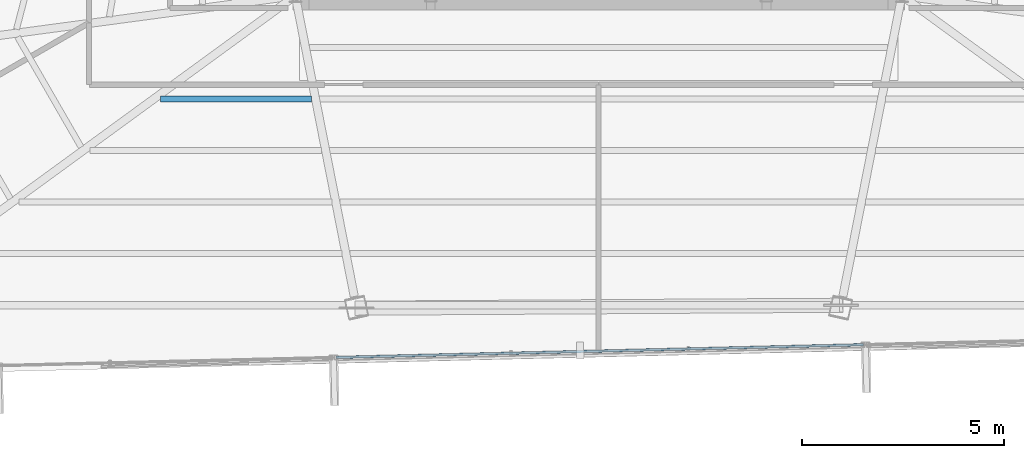
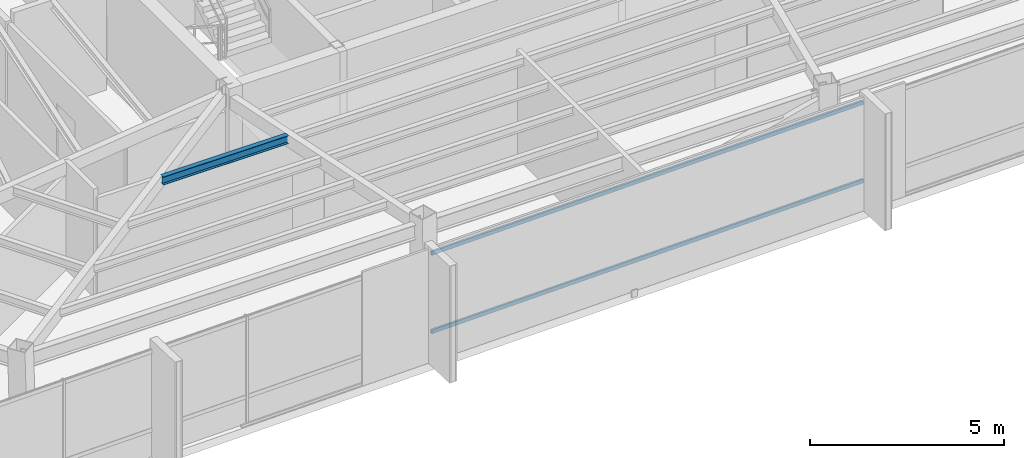
# One storey, part 12 of 45: 2 members, 1 beam, 1 element without a shape of its own.
"""IFC4 building model written with IfcOpenShell, lengths in metres."""

from ifc_helpers import new_model, si_unit, direction, frame, origin, origin_2d, place, context, subcontext, project, spatial, hollow_rectangle, i_section, extrude, source, transform, mapped, material, material_profile, profile_set, type_object, type_shapes, element, aggregate, save


model = new_model("IFC4")

# Units and contexts
model_context = context("Model", 3, precision=1e-05, world=origin(), true_north=direction((0.0, 1.0)))
body_context = subcontext(model_context, "Body", "Model", "MODEL_VIEW")
ifc_project = project(units=[si_unit("LENGTHUNIT", "METRE"), si_unit("AREAUNIT", "SQUARE_METRE"), si_unit("VOLUMEUNIT", "CUBIC_METRE"), si_unit("PLANEANGLEUNIT", "RADIAN"), si_unit("MASSUNIT", "GRAM", prefix="KILO")], contexts=[model_context])

# Site, building, storey
site_placement = place(None, origin())
site = spatial("IfcSite", under=ifc_project, at=site_placement, CompositionType="ELEMENT")
building_placement = place(site_placement, origin())
building = spatial("IfcBuilding", under=site, at=building_placement, Name="Caelisora Broadcast Tower", CompositionType="ELEMENT")
storey_placement = place(building_placement, frame((0.0, 0.0, 273.64990234375)))
storey = spatial("IfcBuildingStorey", under=building, at=storey_placement, Name="L72", CompositionType="ELEMENT", Elevation=273.64990234375)

# Beam
ifc_material_1 = material(Name="Steel Grade 350 (AS/NZS 3679.1)", Category="steel")
ifc_material_profile_1 = material_profile(ifc_material_1, i_section(OverallWidth=0.14599609375, OverallDepth=0.256103515625, WebThickness=0.00634765625, FlangeThickness=0.010986328125, at=origin_2d()), Name="Steel Grade 350 (AS/NZS 3679.1)")
ifc_profile_set_1 = profile_set([ifc_material_profile_1], Name="Steel Grade 350 (AS/NZS 3679.1)")
beam_type = type_object("IfcBeamType", Name="SB04", PredefinedType="JOIST", material=ifc_profile_set_1)
shared_shape_1 = source(origin(), body_context, "Body", "SweptSolid", [
    extrude(i_section(OverallWidth=0.14599609375, OverallDepth=0.256103515625, WebThickness=0.00634765625, FlangeThickness=0.010986328125, at=origin_2d()), origin(), (0.0, 0.0, 1.0), 3.7333984375),
])
type_shapes(beam_type, [shared_shape_1])
beam_placement = place(storey_placement, frame((27.168212890625, 14.8486328125, 3.27197265625), z_axis=(1.0, 0.0, 0.0), x_axis=(0.0, 1.0, 0.0)))
element("IfcBeam", 1, at=beam_placement, inside=storey, type_object=beam_type, Name="L72 beam SB04", PredefinedType="JOIST", context=body_context, shape_type="MappedRepresentation", body=[
    mapped(shared_shape_1, transform((0.0, 0.0, 0.0), scale=1.0)),
])

# Curtain wall, members
ifc_material_2 = material(Name="Unitised Aluminium Insulated Shadow-Box Spandrel Curtain Wall", Category="aluminium")
curtain_wall_type = type_object("IfcCurtainWallType", Name="CW-SP3", PredefinedType="NOTDEFINED", material=ifc_material_2)
curtain_wall_placement = place(storey_placement, origin())
curtain_wall = element("IfcCurtainWall", 2, at=curtain_wall_placement, inside=storey, type_object=curtain_wall_type, Name="L72 curtain wall CW-SP3", PredefinedType="NOTDEFINED")
ifc_material_3 = material(Name="Aluminium 6063-T6 Anodised Terracotta Bronze", Category="aluminium")
ifc_material_profile_2 = material_profile(ifc_material_3, hollow_rectangle(XDim=0.06005859375, YDim=0.1201171875, WallThickness=0.0029296875, at=origin_2d()), Name="Aluminium 6063-T6 Anodised Terracotta Bronze")
ifc_profile_set_2 = profile_set([ifc_material_profile_2], Name="Aluminium 6063-T6 Anodised Terracotta Bronze")
member_type = type_object("IfcMemberType", Name="CWT-03", PredefinedType="USERDEFINED", material=ifc_profile_set_2)
shared_shape_2 = source(origin(), body_context, "Body", "SweptSolid", [
    extrude(hollow_rectangle(XDim=0.06005859375, YDim=0.1201171875, WallThickness=0.0029296875, at=origin_2d()), origin(), (0.0, 0.0, 1.0), 13.05078125),
])
type_shapes(member_type, [shared_shape_2])
member_1_placement = place(storey_placement, frame((44.549072265625, 8.769775390625, 0.85009765625), z_axis=(-0.999709678184, -0.02409479913, 0.0), x_axis=(0.02409479913, -0.999709678184, 0.0)))
member_1 = element("IfcMember", 3, at=member_1_placement, type_object=member_type, Name="L72-CW-B06 transom #1", ObjectType="TRANSOM", PredefinedType="USERDEFINED", context=body_context, shape_type="MappedRepresentation", body=[
    mapped(shared_shape_2, transform((0.0, 0.0, 0.0), scale=1.0)),
])
member_2_placement = place(storey_placement, frame((44.549072265625, 8.769775390625, 3.320068359375), z_axis=(-0.999709678184, -0.02409479913, 0.0), x_axis=(0.02409479913, -0.999709678184, 0.0)))
member_2 = element("IfcMember", 4, at=member_2_placement, type_object=member_type, Name="L72-CW-B06 transom #2", ObjectType="TRANSOM", PredefinedType="USERDEFINED", context=body_context, shape_type="MappedRepresentation", body=[
    mapped(shared_shape_2, transform((0.0, 0.0, 0.0), scale=1.0)),
])
aggregate(curtain_wall, [member_1, member_2])

save(model, "model.ifc")
